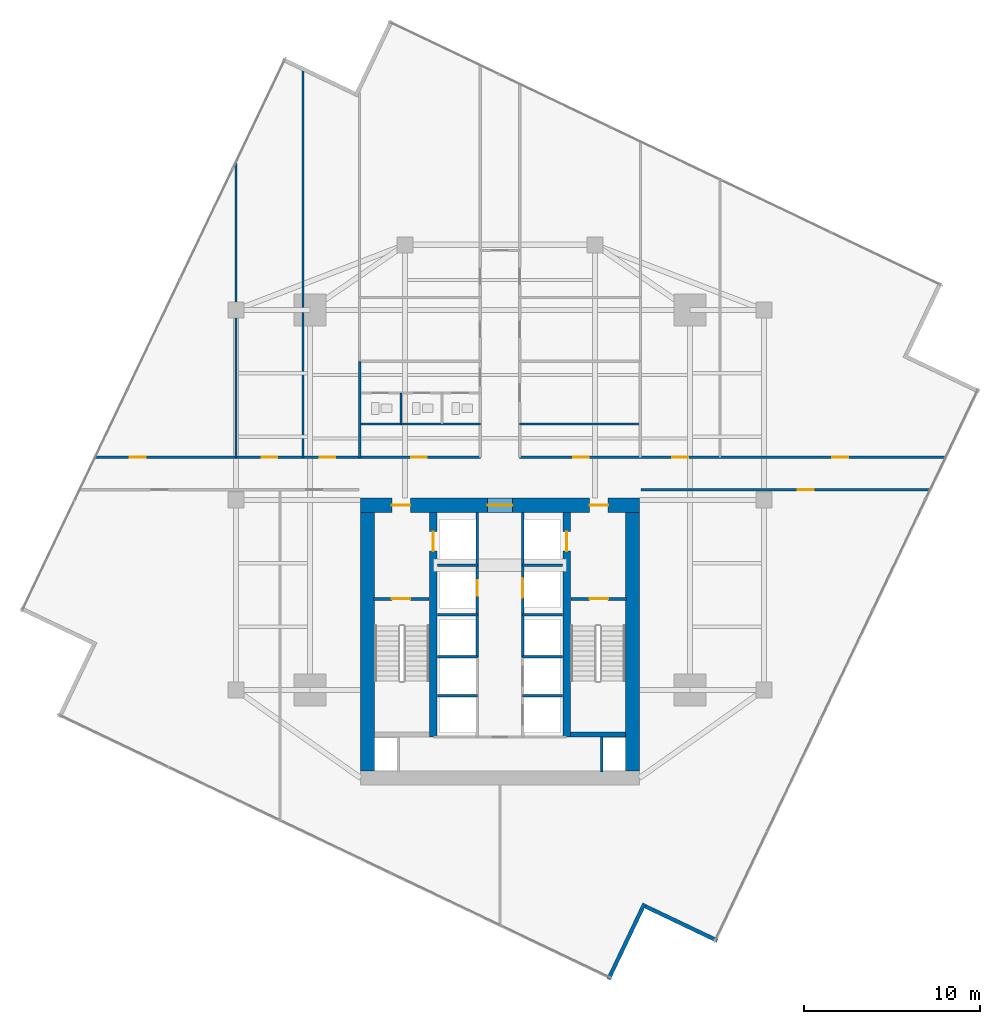
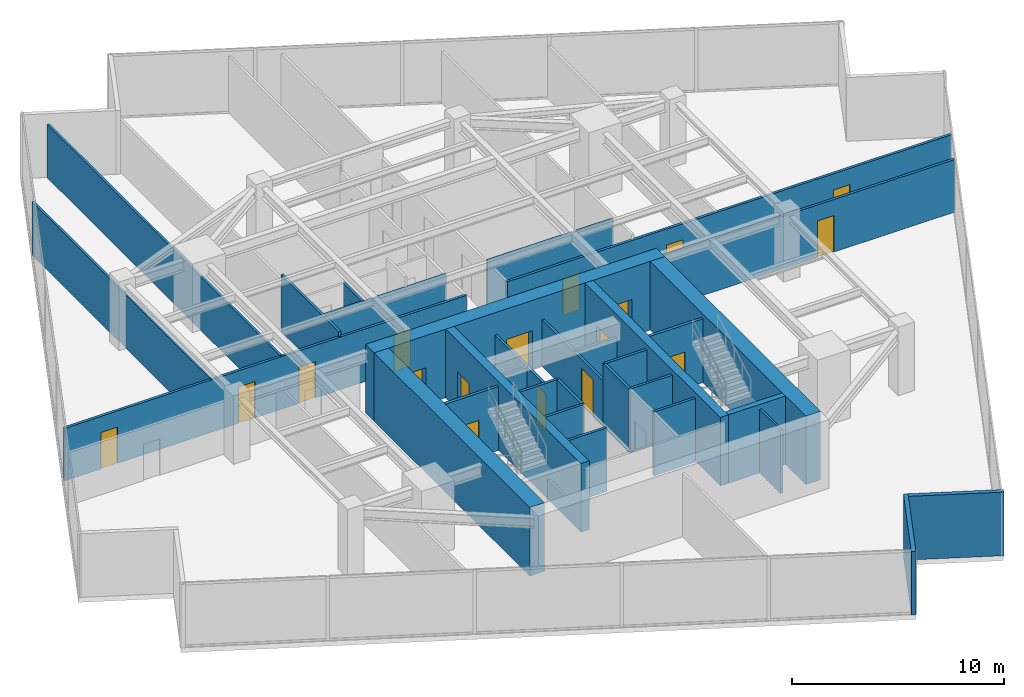
# One storey, part 22 of 25: 32 walls, 17 doors, 17 openings.
"""IFC4 building model written with IfcOpenShell, lengths in metres."""

from ifc_helpers import new_model, si_unit, direction, frame, frame_2d, origin, place, context, subcontext, project, spatial, rectangle, extrude, material, layer, layer_set, type_object, element, fill, save


model = new_model("IFC4")

# Units and contexts
model_context = context("Model", 3, precision=1e-05, world=origin(), true_north=direction((0.0, 1.0)))
body_context = subcontext(model_context, "Body", "Model", "MODEL_VIEW")
ifc_project = project(units=[si_unit("LENGTHUNIT", "METRE"), si_unit("AREAUNIT", "SQUARE_METRE"), si_unit("VOLUMEUNIT", "CUBIC_METRE"), si_unit("PLANEANGLEUNIT", "RADIAN"), si_unit("MASSUNIT", "GRAM", prefix="KILO")], contexts=[model_context])

# Site, building, storey
site_placement = place(None, origin())
site = spatial("IfcSite", under=ifc_project, at=site_placement, CompositionType="ELEMENT")
building_placement = place(site_placement, origin())
building = spatial("IfcBuilding", under=site, at=building_placement, Name="Krantzveldt Concourse Tower", CompositionType="ELEMENT")
storey_placement = place(building_placement, frame((0.0, 0.0, 146.199951171875)))
storey = spatial("IfcBuildingStorey", under=building, at=storey_placement, Name="L35", CompositionType="ELEMENT", Elevation=146.199951171875)

# Walls
ifc_material_1 = material(Name="Anodised aluminium 6063-T6", Category="aluminium")
ifc_layer_1 = layer(ifc_material_1, 0.219970703125, Name="Anodised aluminium 6063-T6", Category="aluminium")
ifc_layer_set_1 = layer_set([ifc_layer_1], Name="Anodised aluminium 6063-T6 (WL-EXT-NOTCH220)")
wall_type_1 = type_object("IfcWallType", Name="WL-EXT-NOTCH220", PredefinedType="ELEMENTEDWALL", material=ifc_layer_set_1)
wall_1_placement = place(storey_placement, frame((42.166748046875, -0.53271484375, 0.0), z_axis=(0.0, 0.0, 1.0), x_axis=(0.430506704164, 0.902587379521, 0.0)))
element("IfcWall", 1, at=wall_1_placement, inside=storey, type_object=wall_type_1, Name="EW-L35-NCH05", PredefinedType="ELEMENTEDWALL", context=body_context, shape_type="SweptSolid", body=[
    extrude(rectangle(XDim=4.744873046875, YDim=0.219970703125, at=frame_2d((2.37255859375, 0.0))), origin(), (0.0, 0.0, 1.0), 3.670166015625),
])
wall_2_placement = place(storey_placement, frame((44.261474609375, 3.603515625, 0.0), z_axis=(0.0, 0.0, 1.0), x_axis=(0.902571105301, -0.430540822542, 0.0)))
element("IfcWall", 2, at=wall_2_placement, inside=storey, type_object=wall_type_1, Name="EW-L35-NCH06", PredefinedType="ELEMENTEDWALL", context=body_context, shape_type="SweptSolid", body=[
    extrude(rectangle(XDim=4.525146484375, YDim=0.219970703125, at=frame_2d((2.2626953125, 0.0))), origin(), (0.0, 0.0, 1.0), 3.670166015625),
])
ifc_material_2 = material(Name="Fire-rated gypsum plasterboard on steel stud", Category="steel")
ifc_layer_2 = layer(ifc_material_2, 0.1201171875, Name="Fire-rated gypsum plasterboard on steel stud", Category="steel")
ifc_layer_set_2 = layer_set([ifc_layer_2], Name="Fire-rated gypsum plasterboard on steel stud (WL-PART-120)")
wall_type_2 = type_object("IfcWallType", Name="WL-PART-120", PredefinedType="PARTITIONING", material=ifc_layer_set_2)
for number, where, z_axis, x_axis, name in (
    (3, (28.02001953125, 31.02001953125, 0.0), (0.0, 0.0, 1.0), (1.0, 0.0, 0.0), "WP-L35-ISML"),
    (4, (37.1201171875, 31.02001953125, 0.0), (0.0, 0.0, 1.0), (1.0, 0.0, 0.0), "WP-L35-ISMR"),
):
    element("IfcWall", number, at=place(storey_placement, frame(where, z_axis=z_axis, x_axis=x_axis)), inside=storey, type_object=wall_type_2, Name=name, PredefinedType="PARTITIONING", context=body_context, shape_type="SweptSolid", body=[
        extrude(rectangle(XDim=6.85986328125, YDim=0.1201171875, at=frame_2d((3.429931640625, 0.0))), origin(), (0.0, 0.0, 1.0), 3.080078125),
    ])
wall_3_placement = place(storey_placement, frame((30.3701171875, 31.02001953125, 0.0), z_axis=(0.0, 0.0, 1.0), x_axis=(0.0, 1.0, 0.0)))
element("IfcWall", 5, at=wall_3_placement, inside=storey, type_object=wall_type_2, Name="WP-L35-WCD1", PredefinedType="PARTITIONING", context=body_context, shape_type="SweptSolid", body=[
    extrude(rectangle(XDim=1.760009765625, YDim=0.1201171875, at=frame_2d((0.8798828125, 0.0))), origin(), (0.0, 0.0, 1.0), 3.080078125),
])
wall_4_placement = place(storey_placement, frame((21.0, 29.1201171875, 0.0), z_axis=(0.0, 0.0, 1.0), x_axis=(0.0, 1.0, 0.0)))
element("IfcWall", 6, at=wall_4_placement, inside=storey, type_object=wall_type_2, Name="WP-L35-NWX1", PredefinedType="PARTITIONING", context=body_context, shape_type="SweptSolid", body=[
    extrude(rectangle(XDim=16.79248046875, YDim=0.1201171875, at=frame_2d((8.396240234375, 0.0))), origin(), (0.0, 0.0, 1.0), 3.080078125),
])
wall_5_placement = place(storey_placement, frame((24.800048828125, 29.1201171875, 0.0), z_axis=(0.0, 0.0, 1.0), x_axis=(0.0, 1.0, 0.0)))
element("IfcWall", 7, at=wall_5_placement, inside=storey, type_object=wall_type_2, Name="WP-L35-NWX2", PredefinedType="PARTITIONING", context=body_context, shape_type="SweptSolid", body=[
    extrude(rectangle(XDim=21.95068359375, YDim=0.1201171875, at=frame_2d((10.975341796875, 0.0))), origin(), (0.0, 0.0, 1.0), 3.080078125),
])

# Wall, openings, doors
ifc_layer_3 = layer(ifc_material_2, 0.139892578125, Name="Fire-rated gypsum plasterboard on steel stud", Category="steel")
ifc_layer_set_3 = layer_set([ifc_layer_3], Name="Fire-rated gypsum plasterboard on steel stud (WL-PART-140)")
wall_type_3 = type_object("IfcWallType", Name="WL-PART-140", PredefinedType="PARTITIONING", material=ifc_layer_set_3)
wall_6_placement = place(storey_placement, frame((12.990478515625, 29.1201171875, 0.0), z_axis=(0.0, 0.0, 1.0), x_axis=(1.0, 0.0, 0.0)))
wall_6 = element("IfcWall", 8, at=wall_6_placement, inside=storey, type_object=wall_type_3, Name="WP-L35-EWNL", PredefinedType="PARTITIONING", context=body_context, shape_type="SweptSolid", body=[
    extrude(rectangle(XDim=21.889404296875, YDim=0.139892578125, at=frame_2d((10.94482421875, 0.0))), origin(), (0.0, 0.0, 1.0), 3.030029296875),
])
opening_1_placement = place(wall_6_placement, frame((17.959716796875, 0.0, 0.0)))
opening_1 = element("IfcOpeningElement", 9, at=opening_1_placement, cuts=wall_6, Name="Opening D-IN090", PredefinedType="OPENING", context=body_context, shape_type="SweptSolid", body=[
    extrude(rectangle(XDim=0.89990234375, YDim=2.10009765625, at=frame_2d((0.449951171875, 1.050048828125))), frame((0.0, 0.080078125, 0.0), z_axis=(0.0, -1.0, 0.0), x_axis=(1.0, 0.0, 0.0)), (0.0, 0.0, 1.0), 0.159912109375),
])
opening_2_placement = place(wall_6_placement, frame((1.9775390625, 0.0, 0.0)))
opening_2 = element("IfcOpeningElement", 10, at=opening_2_placement, cuts=wall_6, Name="Opening D-IN090", PredefinedType="OPENING", context=body_context, shape_type="SweptSolid", body=[
    extrude(rectangle(XDim=0.89990234375, YDim=2.10009765625, at=frame_2d((0.449951171875, 1.050048828125))), frame((0.0, 0.080078125, 0.0), z_axis=(0.0, -1.0, 0.0), x_axis=(1.0, 0.0, 0.0)), (0.0, 0.0, 1.0), 0.159912109375),
])
opening_3_placement = place(wall_6_placement, frame((9.459716796875, 0.0, 0.0)))
opening_3 = element("IfcOpeningElement", 11, at=opening_3_placement, cuts=wall_6, Name="Opening D-IN090", PredefinedType="OPENING", context=body_context, shape_type="SweptSolid", body=[
    extrude(rectangle(XDim=0.89990234375, YDim=2.10009765625, at=frame_2d((0.449951171875, 1.050048828125))), frame((0.0, 0.080078125, 0.0), z_axis=(0.0, -1.0, 0.0), x_axis=(1.0, 0.0, 0.0)), (0.0, 0.0, 1.0), 0.159912109375),
])
opening_4_placement = place(wall_6_placement, frame((12.759521484375, 0.0, 0.0)))
opening_4 = element("IfcOpeningElement", 12, at=opening_4_placement, cuts=wall_6, Name="Opening D-IN090", PredefinedType="OPENING", context=body_context, shape_type="SweptSolid", body=[
    extrude(rectangle(XDim=0.89990234375, YDim=2.10009765625, at=frame_2d((0.449951171875, 1.050048828125))), frame((0.0, 0.080078125, 0.0), z_axis=(0.0, -1.0, 0.0), x_axis=(1.0, 0.0, 0.0)), (0.0, 0.0, 1.0), 0.159912109375),
])
ifc_material_3 = material(Name="Hardwood timber", Category="wood")
door_type_1 = type_object("IfcDoorType", Name="DR-INT-900", OperationType="SINGLE_SWING_LEFT", PredefinedType="DOOR", material=ifc_material_3)
door_1_placement = place(opening_1_placement, origin())
door_1 = element("IfcDoor", 13, at=door_1_placement, inside=storey, type_object=door_type_1, Name="DR-L35-ALCL", OperationType="SINGLE_SWING_LEFT", OverallHeight=2.10009765625, OverallWidth=0.89990234375, PredefinedType="DOOR", context=body_context, shape_type="SweptSolid", body=[
    extrude(rectangle(XDim=0.89990234375, YDim=2.10009765625, at=frame_2d((0.449951171875, 1.050048828125))), frame((0.0, 0.02490234375, 0.0), z_axis=(0.0, -1.0, 0.0), x_axis=(1.0, 0.0, 0.0)), (0.0, 0.0, 1.0), 0.050048828125),
])
fill(opening_1, door_1)
door_2_placement = place(opening_2_placement, origin())
door_2 = element("IfcDoor", 14, at=door_2_placement, inside=storey, type_object=door_type_1, Name="DR-L35-NWX1", OperationType="SINGLE_SWING_LEFT", OverallHeight=2.10009765625, OverallWidth=0.89990234375, PredefinedType="DOOR", context=body_context, shape_type="SweptSolid", body=[
    extrude(rectangle(XDim=0.89990234375, YDim=2.10009765625, at=frame_2d((0.449951171875, 1.050048828125))), frame((0.0, 0.02490234375, 0.0), z_axis=(0.0, -1.0, 0.0), x_axis=(1.0, 0.0, 0.0)), (0.0, 0.0, 1.0), 0.050048828125),
])
fill(opening_2, door_2)
door_3_placement = place(opening_3_placement, origin())
door_3 = element("IfcDoor", 15, at=door_3_placement, inside=storey, type_object=door_type_1, Name="DR-L35-NWX2", OperationType="SINGLE_SWING_LEFT", OverallHeight=2.10009765625, OverallWidth=0.89990234375, PredefinedType="DOOR", context=body_context, shape_type="SweptSolid", body=[
    extrude(rectangle(XDim=0.89990234375, YDim=2.10009765625, at=frame_2d((0.449951171875, 1.050048828125))), frame((0.0, 0.02490234375, 0.0), z_axis=(0.0, -1.0, 0.0), x_axis=(1.0, 0.0, 0.0)), (0.0, 0.0, 1.0), 0.050048828125),
])
fill(opening_3, door_3)
door_4_placement = place(opening_4_placement, origin())
door_4 = element("IfcDoor", 16, at=door_4_placement, inside=storey, type_object=door_type_1, Name="DR-L35-NWX3", OperationType="SINGLE_SWING_LEFT", OverallHeight=2.10009765625, OverallWidth=0.89990234375, PredefinedType="DOOR", context=body_context, shape_type="SweptSolid", body=[
    extrude(rectangle(XDim=0.89990234375, YDim=2.10009765625, at=frame_2d((0.449951171875, 1.050048828125))), frame((0.0, 0.02490234375, 0.0), z_axis=(0.0, -1.0, 0.0), x_axis=(1.0, 0.0, 0.0)), (0.0, 0.0, 1.0), 0.050048828125),
])
fill(opening_4, door_4)

wall_7_placement = place(storey_placement, frame((37.1201171875, 29.1201171875, 0.0), z_axis=(0.0, 0.0, 1.0), x_axis=(1.0, 0.0, 0.0)))
wall_7 = element("IfcWall", 17, at=wall_7_placement, inside=storey, type_object=wall_type_3, Name="WP-L35-EWNR", PredefinedType="PARTITIONING", context=body_context, shape_type="SweptSolid", body=[
    extrude(rectangle(XDim=24.197998046875, YDim=0.139892578125, at=frame_2d((12.09912109375, 0.0))), origin(), (0.0, 0.0, 1.0), 3.030029296875),
])
opening_5_placement = place(wall_7_placement, frame((3.030029296875, 0.0, 0.0)))
opening_5 = element("IfcOpeningElement", 18, at=opening_5_placement, cuts=wall_7, Name="Opening D-IN090", PredefinedType="OPENING", context=body_context, shape_type="SweptSolid", body=[
    extrude(rectangle(XDim=0.89990234375, YDim=2.10009765625, at=frame_2d((0.449951171875, 1.050048828125))), frame((0.0, 0.080078125, 0.0), z_axis=(0.0, -1.0, 0.0), x_axis=(1.0, 0.0, 0.0)), (0.0, 0.0, 1.0), 0.159912109375),
])
opening_6_placement = place(wall_7_placement, frame((8.669921875, 0.0, 0.0)))
opening_6 = element("IfcOpeningElement", 19, at=opening_6_placement, cuts=wall_7, Name="Opening D-IN090", PredefinedType="OPENING", context=body_context, shape_type="SweptSolid", body=[
    extrude(rectangle(XDim=0.89990234375, YDim=2.10009765625, at=frame_2d((0.449951171875, 1.050048828125))), frame((0.0, 0.080078125, 0.0), z_axis=(0.0, -1.0, 0.0), x_axis=(1.0, 0.0, 0.0)), (0.0, 0.0, 1.0), 0.159912109375),
])
opening_7_placement = place(wall_7_placement, frame((17.761962890625, 0.0, 0.0)))
opening_7 = element("IfcOpeningElement", 20, at=opening_7_placement, cuts=wall_7, Name="Opening D-IN090", PredefinedType="OPENING", context=body_context, shape_type="SweptSolid", body=[
    extrude(rectangle(XDim=0.89990234375, YDim=2.10009765625, at=frame_2d((0.449951171875, 1.050048828125))), frame((0.0, 0.080078125, 0.0), z_axis=(0.0, -1.0, 0.0), x_axis=(1.0, 0.0, 0.0)), (0.0, 0.0, 1.0), 0.159912109375),
])
door_5_placement = place(opening_5_placement, origin())
door_5 = element("IfcDoor", 21, at=door_5_placement, inside=storey, type_object=door_type_1, Name="DR-L35-ALCR", OperationType="SINGLE_SWING_RIGHT", OverallHeight=2.10009765625, OverallWidth=0.89990234375, PredefinedType="DOOR", context=body_context, shape_type="SweptSolid", body=[
    extrude(rectangle(XDim=0.89990234375, YDim=2.10009765625, at=frame_2d((0.449951171875, 1.050048828125))), frame((0.0, 0.02490234375, 0.0), z_axis=(0.0, -1.0, 0.0), x_axis=(1.0, 0.0, 0.0)), (0.0, 0.0, 1.0), 0.050048828125),
])
fill(opening_5, door_5)
door_6_placement = place(opening_6_placement, origin())
door_6 = element("IfcDoor", 22, at=door_6_placement, inside=storey, type_object=door_type_1, Name="DR-L35-NEX1", OperationType="SINGLE_SWING_RIGHT", OverallHeight=2.10009765625, OverallWidth=0.89990234375, PredefinedType="DOOR", context=body_context, shape_type="SweptSolid", body=[
    extrude(rectangle(XDim=0.89990234375, YDim=2.10009765625, at=frame_2d((0.449951171875, 1.050048828125))), frame((0.0, 0.02490234375, 0.0), z_axis=(0.0, -1.0, 0.0), x_axis=(1.0, 0.0, 0.0)), (0.0, 0.0, 1.0), 0.050048828125),
])
fill(opening_6, door_6)
door_7_placement = place(opening_7_placement, origin())
door_7 = element("IfcDoor", 23, at=door_7_placement, inside=storey, type_object=door_type_1, Name="DR-L35-NEX2", OperationType="SINGLE_SWING_RIGHT", OverallHeight=2.10009765625, OverallWidth=0.89990234375, PredefinedType="DOOR", context=body_context, shape_type="SweptSolid", body=[
    extrude(rectangle(XDim=0.89990234375, YDim=2.10009765625, at=frame_2d((0.449951171875, 1.050048828125))), frame((0.0, 0.02490234375, 0.0), z_axis=(0.0, -1.0, 0.0), x_axis=(1.0, 0.0, 0.0)), (0.0, 0.0, 1.0), 0.050048828125),
])
fill(opening_7, door_7)

# Wall, opening, door
wall_8_placement = place(storey_placement, frame((44.0, 27.280029296875, 0.0), z_axis=(0.0, 0.0, 1.0), x_axis=(1.0, 0.0, 0.0)))
wall_8 = element("IfcWall", 24, at=wall_8_placement, inside=storey, type_object=wall_type_3, Name="WP-L35-EWSR", PredefinedType="PARTITIONING", context=body_context, shape_type="SweptSolid", body=[
    extrude(rectangle(XDim=16.440673828125, YDim=0.139892578125, at=frame_2d((8.22021484375, 0.0))), origin(), (0.0, 0.0, 1.0), 3.030029296875),
])
opening_8_placement = place(wall_8_placement, frame((8.931884765625, 0.0, 0.0)))
opening_8 = element("IfcOpeningElement", 25, at=opening_8_placement, cuts=wall_8, Name="Opening D-IN090", PredefinedType="OPENING", context=body_context, shape_type="SweptSolid", body=[
    extrude(rectangle(XDim=0.89990234375, YDim=2.10009765625, at=frame_2d((0.449951171875, 1.050048828125))), frame((0.0, 0.080078125, 0.0), z_axis=(0.0, -1.0, 0.0), x_axis=(1.0, 0.0, 0.0)), (0.0, 0.0, 1.0), 0.159912109375),
])
door_8_placement = place(opening_8_placement, origin())
door_8 = element("IfcDoor", 26, at=door_8_placement, inside=storey, type_object=door_type_1, Name="DR-L35-SEX1", OperationType="SINGLE_SWING_RIGHT", OverallHeight=2.10009765625, OverallWidth=0.89990234375, PredefinedType="DOOR", context=body_context, shape_type="SweptSolid", body=[
    extrude(rectangle(XDim=0.89990234375, YDim=2.10009765625, at=frame_2d((0.449951171875, 1.050048828125))), frame((0.0, 0.02490234375, 0.0), z_axis=(0.0, -1.0, 0.0), x_axis=(1.0, 0.0, 0.0)), (0.0, 0.0, 1.0), 0.050048828125),
])
fill(opening_8, door_8)

# Wall
wall_9_placement = place(storey_placement, frame((28.02001953125, 29.1201171875, 0.0), z_axis=(0.0, 0.0, 1.0), x_axis=(0.0, 1.0, 0.0)))
element("IfcWall", 27, at=wall_9_placement, inside=storey, type_object=wall_type_3, Name="WP-L35-ISWL", PredefinedType="PARTITIONING", context=body_context, shape_type="SweptSolid", body=[
    extrude(rectangle(XDim=5.4599609375, YDim=0.139892578125, at=frame_2d((2.72998046875, 0.0))), origin(), (0.0, 0.0, 1.0), 3.31005859375),
])

# Wall, opening, door
ifc_layer_4 = layer(ifc_material_2, 0.139892578125, Name="Fire-rated gypsum plasterboard on steel stud", Category="steel")
ifc_layer_set_4 = layer_set([ifc_layer_4], Name="Fire-rated gypsum plasterboard on steel stud (WL-PART-FR140)")
wall_type_4 = type_object("IfcWallType", Name="WL-PART-FR140", PredefinedType="PARTITIONING", material=ifc_layer_set_4)
wall_10_placement = place(storey_placement, frame((34.719970703125, 20.199951171875, 0.0), z_axis=(0.0, 0.0, 1.0), x_axis=(0.0, 1.0, 0.0)))
wall_10 = element("IfcWall", 28, at=wall_10_placement, inside=storey, type_object=wall_type_4, Name="WP-L35-SHNW", PredefinedType="PARTITIONING", context=body_context, shape_type="SweptSolid", body=[
    extrude(rectangle(XDim=5.780029296875, YDim=0.139892578125, at=frame_2d((2.89013671875, 0.0))), origin(), (0.0, 0.0, 1.0), 2.670166015625),
])
opening_9_placement = place(wall_10_placement, frame((1.050048828125, 0.0, 0.0)))
opening_9 = element("IfcOpeningElement", 29, at=opening_9_placement, cuts=wall_10, Name="Opening D-FD090", PredefinedType="OPENING", context=body_context, shape_type="SweptSolid", body=[
    extrude(rectangle(XDim=0.89990234375, YDim=2.10009765625, at=frame_2d((0.449951171875, 1.050048828125))), frame((0.0, 0.080078125, 0.0), z_axis=(0.0, -1.0, 0.0), x_axis=(1.0, 0.0, 0.0)), (0.0, 0.0, 1.0), 0.159912109375),
])
door_type_2 = type_object("IfcDoorType", Name="DR-FD60-900", OperationType="SINGLE_SWING_LEFT", PredefinedType="DOOR", material=ifc_material_3)
door_9_placement = place(opening_9_placement, origin())
door_9 = element("IfcDoor", 30, at=door_9_placement, inside=storey, type_object=door_type_2, Name="Electrical Riser Access Door L35", OperationType="SINGLE_SWING_LEFT", OverallHeight=2.10009765625, OverallWidth=0.89990234375, PredefinedType="DOOR", context=body_context, shape_type="SweptSolid", body=[
    extrude(rectangle(XDim=0.89990234375, YDim=2.10009765625, at=frame_2d((0.449951171875, 1.050048828125))), frame((0.0, 0.02490234375, 0.0), z_axis=(0.0, -1.0, 0.0), x_axis=(1.0, 0.0, 0.0)), (0.0, 0.0, 1.0), 0.050048828125),
])
fill(opening_9, door_9)

wall_11_placement = place(storey_placement, frame((37.280029296875, 20.199951171875, 0.0), z_axis=(0.0, 0.0, 1.0), x_axis=(0.0, 1.0, 0.0)))
wall_11 = element("IfcWall", 31, at=wall_11_placement, inside=storey, type_object=wall_type_4, Name="WP-L35-SHNE", PredefinedType="PARTITIONING", context=body_context, shape_type="SweptSolid", body=[
    extrude(rectangle(XDim=5.780029296875, YDim=0.139892578125, at=frame_2d((2.89013671875, 0.0))), origin(), (0.0, 0.0, 1.0), 2.670166015625),
])
opening_10_placement = place(wall_11_placement, frame((0.949951171875, 0.0, 0.0)))
opening_10 = element("IfcOpeningElement", 32, at=opening_10_placement, cuts=wall_11, Name="Opening LD", PredefinedType="OPENING", context=body_context, shape_type="SweptSolid", body=[
    extrude(rectangle(XDim=1.10009765625, YDim=2.14990234375, at=frame_2d((0.550048828125, 1.074951171875))), frame((0.0, 0.080078125, 0.0), z_axis=(0.0, -1.0, 0.0), x_axis=(1.0, 0.0, 0.0)), (0.0, 0.0, 1.0), 0.159912109375),
])
ifc_material_4 = material(Name="Stainless steel 316L", Category="steel")
door_type_3 = type_object("IfcDoorType", Name="DR-SLIDE-LD1100", OperationType="DOUBLE_DOOR_SLIDING", PredefinedType="DOOR", material=ifc_material_4)
door_10_placement = place(opening_10_placement, origin())
door_10 = element("IfcDoor", 33, at=door_10_placement, inside=storey, type_object=door_type_3, Name="LD-L35-GL1", OperationType="DOUBLE_DOOR_SLIDING", OverallHeight=2.14990234375, OverallWidth=1.10009765625, PredefinedType="DOOR", context=body_context, shape_type="SweptSolid", body=[
    extrude(rectangle(XDim=1.10009765625, YDim=2.14990234375, at=frame_2d((0.550048828125, 1.074951171875))), frame((0.0, 0.02490234375, 0.0), z_axis=(0.0, -1.0, 0.0), x_axis=(1.0, 0.0, 0.0)), (0.0, 0.0, 1.0), 0.050048828125),
])
fill(opening_10, door_10)

# Walls
for number, where, z_axis, x_axis, name in (
    (34, (32.449951171875, 23.0, 0.0), (0.0, 0.0, 1.0), (1.0, 0.0, 0.0), "WP-L35-RISH"),
    (35, (37.280029296875, 23.0, 0.0), (0.0, 0.0, 1.0), (1.0, 0.0, 0.0), "WP-L35-GLH"),
):
    element("IfcWall", number, at=place(storey_placement, frame(where, z_axis=z_axis, x_axis=x_axis)), inside=storey, type_object=wall_type_4, Name=name, PredefinedType="PARTITIONING", context=body_context, shape_type="SweptSolid", body=[
        extrude(rectangle(XDim=2.27001953125, YDim=0.139892578125, at=frame_2d((1.135009765625, 0.0))), origin(), (0.0, 0.0, 1.0), 2.670166015625),
    ])
for number, where, z_axis, x_axis, name in (
    (36, (34.719970703125, 17.780029296875, 0.0), (0.0, 0.0, 1.0), (0.0, 1.0, 0.0), "WP-L35-SHNW2"),
    (37, (37.280029296875, 17.780029296875, 0.0), (0.0, 0.0, 1.0), (0.0, 1.0, 0.0), "WP-L35-SHNE2"),
):
    element("IfcWall", number, at=place(storey_placement, frame(where, z_axis=z_axis, x_axis=x_axis)), inside=storey, type_object=wall_type_4, Name=name, PredefinedType="PARTITIONING", context=body_context, shape_type="SweptSolid", body=[
        extrude(rectangle(XDim=2.419921875, YDim=0.139892578125, at=frame_2d((1.2099609375, 0.0))), origin(), (0.0, 0.0, 1.0), 3.670166015625),
    ])
for number, where, z_axis, x_axis, name in (
    (38, (32.449951171875, 17.780029296875, 0.0), (0.0, 0.0, 1.0), (1.0, 0.0, 0.0), "WP-L35-DIVW2"),
    (39, (32.449951171875, 20.179931640625, 0.0), (0.0, 0.0, 1.0), (1.0, 0.0, 0.0), "WP-L35-DIVW3"),
    (40, (37.280029296875, 17.780029296875, 0.0), (0.0, 0.0, 1.0), (1.0, 0.0, 0.0), "WP-L35-DIVE2"),
    (41, (37.280029296875, 20.179931640625, 0.0), (0.0, 0.0, 1.0), (1.0, 0.0, 0.0), "WP-L35-DIVE3"),
    (42, (32.449951171875, 15.580078125, 0.0), (0.0, 0.0, 1.0), (1.0, 0.0, 0.0), "WP-L35-DIVW1"),
    (43, (37.280029296875, 15.580078125, 0.0), (0.0, 0.0, 1.0), (1.0, 0.0, 0.0), "WP-L35-DIVE1"),
):
    element("IfcWall", number, at=place(storey_placement, frame(where, z_axis=z_axis, x_axis=x_axis)), inside=storey, type_object=wall_type_4, Name=name, PredefinedType="PARTITIONING", context=body_context, shape_type="SweptSolid", body=[
        extrude(rectangle(XDim=2.27001953125, YDim=0.139892578125, at=frame_2d((1.135009765625, 0.0))), origin(), (0.0, 0.0, 1.0), 3.670166015625),
    ])
wall_12_placement = place(storey_placement, frame((41.780029296875, 11.25, 0.0), z_axis=(0.0, 0.0, 1.0), x_axis=(0.0, 1.0, 0.0)))
element("IfcWall", 44, at=wall_12_placement, inside=storey, type_object=wall_type_4, Name="WP-L35-RSE", PredefinedType="PARTITIONING", context=body_context, shape_type="SweptSolid", body=[
    extrude(rectangle(XDim=1.969970703125, YDim=0.1201171875, at=frame_2d((0.98486328125, 0.0))), origin(), (0.0, 0.0, 1.0), 3.670166015625),
])

# Wall, opening, door
ifc_layer_5 = layer(ifc_material_2, 0.159912109375, Name="Fire-rated gypsum plasterboard on steel stud", Category="steel")
ifc_layer_set_5 = layer_set([ifc_layer_5], Name="Fire-rated gypsum plasterboard on steel stud (WL-PART-FR160)")
wall_type_5 = type_object("IfcWallType", Name="WL-PART-FR160", PredefinedType="PARTITIONING", material=ifc_layer_set_5)
wall_13_placement = place(storey_placement, frame((28.800048828125, 21.080078125, 0.0), z_axis=(0.0, 0.0, 1.0), x_axis=(1.0, 0.0, 0.0)))
wall_13 = element("IfcWall", 45, at=wall_13_placement, inside=storey, type_object=wall_type_5, Name="WP-L35-ST1", PredefinedType="PARTITIONING", context=body_context, shape_type="SweptSolid", body=[
    extrude(rectangle(XDim=3.159912109375, YDim=0.159912109375, at=frame_2d((1.580078125, 0.0))), origin(), (0.0, 0.0, 1.0), 3.670166015625),
])
opening_11_placement = place(wall_13_placement, frame((1.054931640625, 0.0, 0.0)))
opening_11 = element("IfcOpeningElement", 46, at=opening_11_placement, cuts=wall_13, Name="Opening D-FD105", PredefinedType="OPENING", context=body_context, shape_type="SweptSolid", body=[
    extrude(rectangle(XDim=1.050048828125, YDim=2.10009765625, at=frame_2d((0.52490234375, 1.050048828125))), frame((0.0, 0.08984375, 0.0), z_axis=(0.0, -1.0, 0.0), x_axis=(1.0, 0.0, 0.0)), (0.0, 0.0, 1.0), 0.179931640625),
])
ifc_material_5 = material(Name="Galvanised steel", Category="steel")
door_type_4 = type_object("IfcDoorType", Name="DR-FD120-1050", OperationType="SINGLE_SWING_LEFT", PredefinedType="DOOR", material=ifc_material_5)
door_11_placement = place(opening_11_placement, origin())
door_11 = element("IfcDoor", 47, at=door_11_placement, inside=storey, type_object=door_type_4, Name="DR-L35-ST1", OperationType="SINGLE_SWING_RIGHT", OverallHeight=2.10009765625, OverallWidth=1.050048828125, PredefinedType="DOOR", context=body_context, shape_type="SweptSolid", body=[
    extrude(rectangle(XDim=1.050048828125, YDim=2.10009765625, at=frame_2d((0.52490234375, 1.050048828125))), frame((0.0, 0.02490234375, 0.0), z_axis=(0.0, -1.0, 0.0), x_axis=(1.0, 0.0, 0.0)), (0.0, 0.0, 1.0), 0.050048828125),
])
fill(opening_11, door_11)

wall_14_placement = place(storey_placement, frame((40.0400390625, 21.080078125, 0.0), z_axis=(0.0, 0.0, 1.0), x_axis=(1.0, 0.0, 0.0)))
wall_14 = element("IfcWall", 48, at=wall_14_placement, inside=storey, type_object=wall_type_5, Name="WP-L35-ST2", PredefinedType="PARTITIONING", context=body_context, shape_type="SweptSolid", body=[
    extrude(rectangle(XDim=3.159912109375, YDim=0.159912109375, at=frame_2d((1.580078125, 0.0))), origin(), (0.0, 0.0, 1.0), 3.670166015625),
])
opening_12_placement = place(wall_14_placement, frame((1.054931640625, 0.0, 0.0)))
opening_12 = element("IfcOpeningElement", 49, at=opening_12_placement, cuts=wall_14, Name="Opening D-FD105", PredefinedType="OPENING", context=body_context, shape_type="SweptSolid", body=[
    extrude(rectangle(XDim=1.050048828125, YDim=2.10009765625, at=frame_2d((0.52490234375, 1.050048828125))), frame((0.0, 0.08984375, 0.0), z_axis=(0.0, -1.0, 0.0), x_axis=(1.0, 0.0, 0.0)), (0.0, 0.0, 1.0), 0.179931640625),
])
door_12_placement = place(opening_12_placement, origin())
door_12 = element("IfcDoor", 50, at=door_12_placement, inside=storey, type_object=door_type_4, Name="DR-L35-ST2", OperationType="SINGLE_SWING_LEFT", OverallHeight=2.10009765625, OverallWidth=1.050048828125, PredefinedType="DOOR", context=body_context, shape_type="SweptSolid", body=[
    extrude(rectangle(XDim=1.050048828125, YDim=2.10009765625, at=frame_2d((0.52490234375, 1.050048828125))), frame((0.0, 0.02490234375, 0.0), z_axis=(0.0, -1.0, 0.0), x_axis=(1.0, 0.0, 0.0)), (0.0, 0.0, 1.0), 0.050048828125),
])
fill(opening_12, door_12)

# Wall
ifc_material_6 = material(Name="Concrete C50/60", Category="concrete")
ifc_layer_6 = layer(ifc_material_6, 0.300048828125, Name="Concrete C50/60", Category="concrete")
ifc_layer_set_6 = layer_set([ifc_layer_6], Name="Concrete C50/60 (WL-SHEAR-300)")
wall_type_6 = type_object("IfcWallType", Name="WL-SHEAR-300", PredefinedType="SHEAR", material=ifc_layer_set_6)
wall_15_placement = place(storey_placement, frame((40.02001953125, 13.3701171875, 0.0), z_axis=(0.0, 0.0, 1.0), x_axis=(1.0, 0.0, 0.0)))
element("IfcWall", 51, at=wall_15_placement, inside=storey, type_object=wall_type_6, Name="CW-L35-ST2S", PredefinedType="SHEAR", context=body_context, shape_type="SweptSolid", body=[
    extrude(rectangle(XDim=3.10009765625, YDim=0.300048828125, at=frame_2d((1.550048828125, 0.0))), origin(), (0.0, 0.0, 1.0), 3.949951171875),
])

# Wall, opening, door
ifc_layer_7 = layer(ifc_material_6, 0.449951171875, Name="Concrete C50/60", Category="concrete")
ifc_layer_set_7 = layer_set([ifc_layer_7], Name="Concrete C50/60 (WL-SHEAR-450)")
wall_type_7 = type_object("IfcWallType", Name="WL-SHEAR-450", PredefinedType="SHEAR", material=ifc_layer_set_7)
wall_16_placement = place(storey_placement, frame((32.205078125, 13.219970703125, 0.0), z_axis=(0.0, 0.0, 1.0), x_axis=(0.0, 1.0, 0.0)))
wall_16 = element("IfcWall", 52, at=wall_16_placement, inside=storey, type_object=wall_type_7, Name="CW-L35-IW", PredefinedType="SHEAR", context=body_context, shape_type="SweptSolid", body=[
    extrude(rectangle(XDim=12.780029296875, YDim=0.449951171875, at=frame_2d((6.39013671875, 0.0))), origin(), (0.0, 0.0, 1.0), 3.949951171875),
])
opening_13_placement = place(wall_16_placement, frame((10.580078125, 0.0, 0.0)))
opening_13 = element("IfcOpeningElement", 53, at=opening_13_placement, cuts=wall_16, Name="Opening LD", PredefinedType="OPENING", context=body_context, shape_type="SweptSolid", body=[
    extrude(rectangle(XDim=1.10009765625, YDim=2.14990234375, at=frame_2d((0.550048828125, 1.074951171875))), frame((0.0, 0.23486328125, 0.0), z_axis=(0.0, -1.0, 0.0), x_axis=(1.0, 0.0, 0.0)), (0.0, 0.0, 1.0), 0.469970703125),
])
door_13_placement = place(opening_13_placement, origin())
door_13 = element("IfcDoor", 54, at=door_13_placement, inside=storey, type_object=door_type_3, Name="LD-L35-FL1", OperationType="DOUBLE_DOOR_SLIDING", OverallHeight=2.14990234375, OverallWidth=1.10009765625, PredefinedType="DOOR", context=body_context, shape_type="SweptSolid", body=[
    extrude(rectangle(XDim=1.10009765625, YDim=2.14990234375, at=frame_2d((0.550048828125, 1.074951171875))), frame((0.0, 0.02490234375, 0.0), z_axis=(0.0, -1.0, 0.0), x_axis=(1.0, 0.0, 0.0)), (0.0, 0.0, 1.0), 0.050048828125),
])
fill(opening_13, door_13)

wall_17_placement = place(storey_placement, frame((39.794921875, 13.219970703125, 0.0), z_axis=(0.0, 0.0, 1.0), x_axis=(0.0, 1.0, 0.0)))
wall_17 = element("IfcWall", 55, at=wall_17_placement, inside=storey, type_object=wall_type_7, Name="CW-L35-IE", PredefinedType="SHEAR", context=body_context, shape_type="SweptSolid", body=[
    extrude(rectangle(XDim=12.780029296875, YDim=0.449951171875, at=frame_2d((6.39013671875, 0.0))), origin(), (0.0, 0.0, 1.0), 3.949951171875),
])
opening_14_placement = place(wall_17_placement, frame((10.580078125, 0.0, 0.0)))
opening_14 = element("IfcOpeningElement", 56, at=opening_14_placement, cuts=wall_17, Name="Opening LD", PredefinedType="OPENING", context=body_context, shape_type="SweptSolid", body=[
    extrude(rectangle(XDim=1.10009765625, YDim=2.14990234375, at=frame_2d((0.550048828125, 1.074951171875))), frame((0.0, 0.23486328125, 0.0), z_axis=(0.0, -1.0, 0.0), x_axis=(1.0, 0.0, 0.0)), (0.0, 0.0, 1.0), 0.469970703125),
])
door_14_placement = place(opening_14_placement, origin())
door_14 = element("IfcDoor", 57, at=door_14_placement, inside=storey, type_object=door_type_3, Name="LD-L35-FL2", OperationType="DOUBLE_DOOR_SLIDING", OverallHeight=2.14990234375, OverallWidth=1.10009765625, PredefinedType="DOOR", context=body_context, shape_type="SweptSolid", body=[
    extrude(rectangle(XDim=1.10009765625, YDim=2.14990234375, at=frame_2d((0.550048828125, 1.074951171875))), frame((0.0, 0.02490234375, 0.0), z_axis=(0.0, -1.0, 0.0), x_axis=(1.0, 0.0, 0.0)), (0.0, 0.0, 1.0), 0.050048828125),
])
fill(opening_14, door_14)

# Wall, openings, doors
ifc_material_7 = material(Name="Concrete C60/75", Category="concrete")
ifc_layer_8 = layer(ifc_material_7, 0.800048828125, Name="Concrete C60/75", Category="concrete")
ifc_layer_set_8 = layer_set([ifc_layer_8], Name="Concrete C60/75 (WL-SHEAR-800)")
wall_type_8 = type_object("IfcWallType", Name="WL-SHEAR-800", PredefinedType="SHEAR", material=ifc_layer_set_8)
wall_18_placement = place(storey_placement, frame((28.080078125, 26.39990234375, 0.0), z_axis=(0.0, 0.0, 1.0), x_axis=(1.0, 0.0, 0.0)))
wall_18 = element("IfcWall", 58, at=wall_18_placement, inside=storey, type_object=wall_type_8, Name="CW-L35-N", PredefinedType="SHEAR", context=body_context, shape_type="SweptSolid", body=[
    extrude(rectangle(XDim=15.83984375, YDim=0.800048828125, at=frame_2d((7.919921875, 0.0))), origin(), (0.0, 0.0, 1.0), 3.949951171875),
])
opening_15_placement = place(wall_18_placement, frame((7.219970703125, 0.0, 0.0)))
opening_15 = element("IfcOpeningElement", 59, at=opening_15_placement, cuts=wall_18, Name="Opening D-DB140", PredefinedType="OPENING", context=body_context, shape_type="SweptSolid", body=[
    extrude(rectangle(XDim=1.39990234375, YDim=2.199951171875, at=frame_2d((0.699951171875, 1.10009765625))), frame((0.0, 0.41015625, 0.0), z_axis=(0.0, -1.0, 0.0), x_axis=(1.0, 0.0, 0.0)), (0.0, 0.0, 1.0), 0.820068359375),
])
opening_16_placement = place(wall_18_placement, frame((1.77490234375, 0.0, 0.0)))
opening_16 = element("IfcOpeningElement", 60, at=opening_16_placement, cuts=wall_18, Name="Opening D-FD105", PredefinedType="OPENING", context=body_context, shape_type="SweptSolid", body=[
    extrude(rectangle(XDim=1.050048828125, YDim=2.10009765625, at=frame_2d((0.52490234375, 1.050048828125))), frame((0.0, 0.41015625, 0.0), z_axis=(0.0, -1.0, 0.0), x_axis=(1.0, 0.0, 0.0)), (0.0, 0.0, 1.0), 0.820068359375),
])
opening_17_placement = place(wall_18_placement, frame((13.014892578125, 0.0, 0.0)))
opening_17 = element("IfcOpeningElement", 61, at=opening_17_placement, cuts=wall_18, Name="Opening D-FD105", PredefinedType="OPENING", context=body_context, shape_type="SweptSolid", body=[
    extrude(rectangle(XDim=1.050048828125, YDim=2.10009765625, at=frame_2d((0.52490234375, 1.050048828125))), frame((0.0, 0.41015625, 0.0), z_axis=(0.0, -1.0, 0.0), x_axis=(1.0, 0.0, 0.0)), (0.0, 0.0, 1.0), 0.820068359375),
])
door_type_5 = type_object("IfcDoorType", Name="DR-DBL-1400", OperationType="DOUBLE_DOOR_SINGLE_SWING", PredefinedType="DOOR", material=ifc_material_1)
door_15_placement = place(opening_15_placement, origin())
door_15 = element("IfcDoor", 62, at=door_15_placement, inside=storey, type_object=door_type_5, Name="DR-L35-LLB", OperationType="DOUBLE_DOOR_SINGLE_SWING", OverallHeight=2.199951171875, OverallWidth=1.39990234375, PredefinedType="DOOR", context=body_context, shape_type="SweptSolid", body=[
    extrude(rectangle(XDim=1.39990234375, YDim=2.199951171875, at=frame_2d((0.699951171875, 1.10009765625))), frame((0.0, 0.02490234375, 0.0), z_axis=(0.0, -1.0, 0.0), x_axis=(1.0, 0.0, 0.0)), (0.0, 0.0, 1.0), 0.050048828125),
])
fill(opening_15, door_15)
door_16_placement = place(opening_16_placement, origin())
door_16 = element("IfcDoor", 63, at=door_16_placement, inside=storey, type_object=door_type_4, Name="DR-L35-FFL1", OperationType="SINGLE_SWING_LEFT", OverallHeight=2.10009765625, OverallWidth=1.050048828125, PredefinedType="DOOR", context=body_context, shape_type="SweptSolid", body=[
    extrude(rectangle(XDim=1.050048828125, YDim=2.10009765625, at=frame_2d((0.52490234375, 1.050048828125))), frame((0.0, 0.02490234375, 0.0), z_axis=(0.0, -1.0, 0.0), x_axis=(1.0, 0.0, 0.0)), (0.0, 0.0, 1.0), 0.050048828125),
])
fill(opening_16, door_16)
door_17_placement = place(opening_17_placement, origin())
door_17 = element("IfcDoor", 64, at=door_17_placement, inside=storey, type_object=door_type_4, Name="DR-L35-FFL2", OperationType="SINGLE_SWING_RIGHT", OverallHeight=2.10009765625, OverallWidth=1.050048828125, PredefinedType="DOOR", context=body_context, shape_type="SweptSolid", body=[
    extrude(rectangle(XDim=1.050048828125, YDim=2.10009765625, at=frame_2d((0.52490234375, 1.050048828125))), frame((0.0, 0.02490234375, 0.0), z_axis=(0.0, -1.0, 0.0), x_axis=(1.0, 0.0, 0.0)), (0.0, 0.0, 1.0), 0.050048828125),
])
fill(opening_17, door_17)

# Walls
for number, where, z_axis, x_axis, name in (
    (65, (28.47998046875, 11.300048828125, 0.0), (0.0, 0.0, 1.0), (0.0, 1.0, 0.0), "CW-L35-W"),
    (66, (43.52001953125, 11.300048828125, 0.0), (0.0, 0.0, 1.0), (0.0, 1.0, 0.0), "CW-L35-E"),
):
    element("IfcWall", number, at=place(storey_placement, frame(where, z_axis=z_axis, x_axis=x_axis)), inside=storey, type_object=wall_type_8, Name=name, PredefinedType="SHEAR", context=body_context, shape_type="SweptSolid", body=[
        extrude(rectangle(XDim=14.699951171875, YDim=0.800048828125, at=frame_2d((7.35009765625, 0.0))), origin(), (0.0, 0.0, 1.0), 3.949951171875),
    ])

save(model, "model.ifc")
